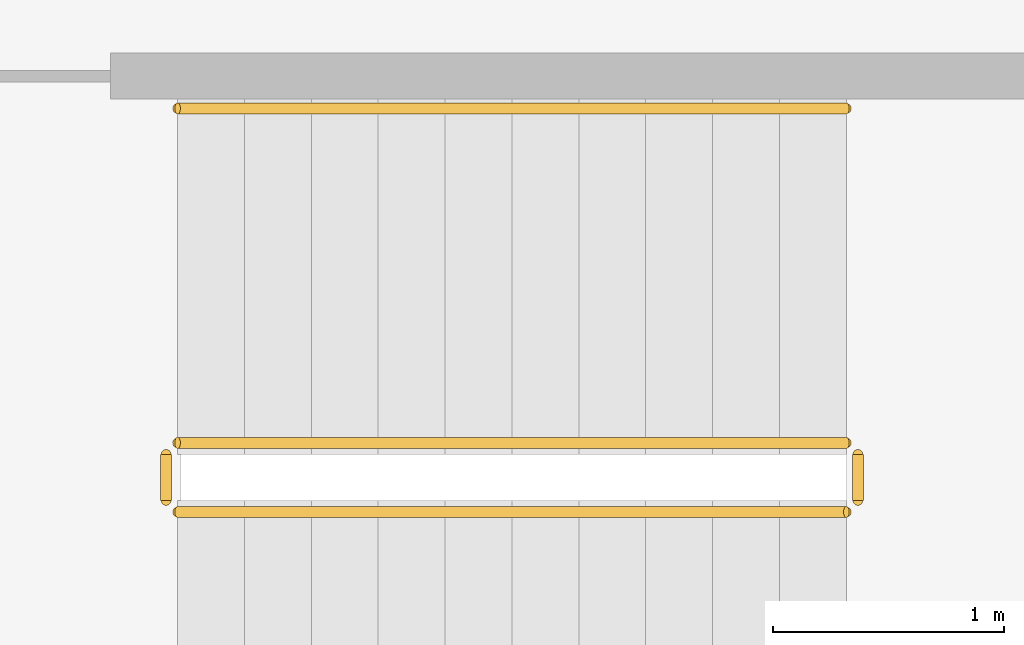
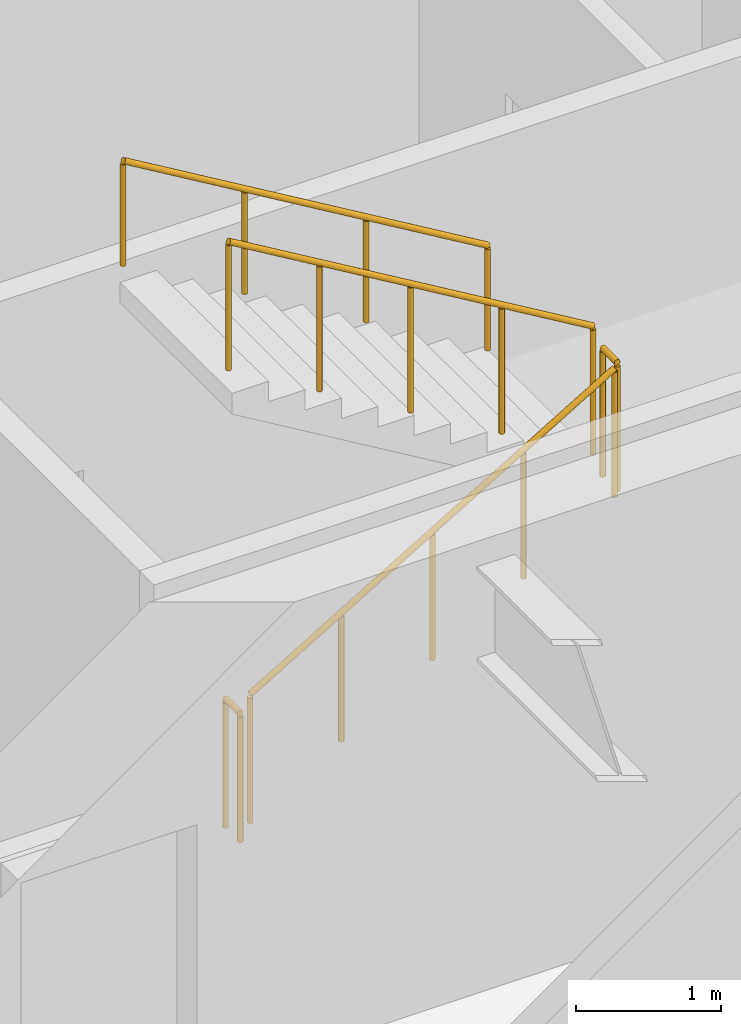
# One storey, part 18 of 19: 5 railings.
"""IFC4 building model written with IfcOpenShell, lengths in metres."""

from ifc_helpers import new_model, si_unit, direction, frame, origin, origin_2d, place, context, subcontext, project, spatial, circle, extrude, material, type_object, element, save


model = new_model("IFC4")

# Units and contexts
model_context = context("Model", 3, precision=1e-05, world=origin(), true_north=direction((0.0, 1.0)))
body_context = subcontext(model_context, "Body", "Model", "MODEL_VIEW")
ifc_project = project(units=[si_unit("LENGTHUNIT", "METRE"), si_unit("AREAUNIT", "SQUARE_METRE"), si_unit("VOLUMEUNIT", "CUBIC_METRE"), si_unit("PLANEANGLEUNIT", "RADIAN"), si_unit("MASSUNIT", "GRAM", prefix="KILO")], contexts=[model_context])

# Site, building, storey
site_placement = place(None, origin())
site = spatial("IfcSite", under=ifc_project, at=site_placement, CompositionType="ELEMENT")
building_placement = place(site_placement, origin())
building = spatial("IfcBuilding", under=site, at=building_placement, Name="Putna Gate Headquarters", CompositionType="ELEMENT")
storey_placement = place(building_placement, frame((0.0, 0.0, 263.199951171875)))
storey = spatial("IfcBuildingStorey", under=building, at=storey_placement, Name="L66", CompositionType="ELEMENT", Elevation=263.199951171875)

# Railings
ifc_material_1 = material(Name="Powder-coated steel stair guardrail", Category="steel")
railing_type_1 = type_object("IfcRailingType", Name="RAIL-STAIR-GUARD-1100", PredefinedType="GUARDRAIL", material=ifc_material_1)
railing_1_placement = place(storey_placement, frame((57.89990234375, 21.10009765625, 0.1728515625)))
element("IfcRailing", 1, at=railing_1_placement, inside=storey, type_object=railing_type_1, Name="L66 ST2 stair guard 1", PredefinedType="GUARDRAIL", context=body_context, shape_type="SweptSolid", body=[
    extrude(circle(Radius=0.02392578125, at=origin_2d()), frame((0.0, 0.0, 1.076171875), z_axis=(0.859160404282, 0.0, 0.51170636083), x_axis=(0.0, 1.0, 0.0)), (0.0, 0.0, 1.0), 3.37548828125),
    extrude(circle(Radius=0.02099609375, at=origin_2d()), origin(), (0.0, 0.0, 1.0), 1.052001953125),
    extrude(circle(Radius=0.02099609375, at=origin_2d()), frame((0.72509765625, 0.0, 0.431884765625)), (0.0, 0.0, 1.0), 1.052001953125),
    extrude(circle(Radius=0.02099609375, at=origin_2d()), frame((1.4501953125, 0.0, 0.86376953125)), (0.0, 0.0, 1.0), 1.052001953125),
    extrude(circle(Radius=0.02099609375, at=origin_2d()), frame((2.175048828125, 0.0, 1.29541015625)), (0.0, 0.0, 1.0), 1.052001953125),
    extrude(circle(Radius=0.02099609375, at=origin_2d()), frame((2.900146484375, 0.0, 1.727294921875)), (0.0, 0.0, 1.0), 1.052001953125),
])
railing_2_placement = place(storey_placement, frame((60.85009765625, 21.14990234375, 1.900146484375)))
element("IfcRailing", 2, at=railing_2_placement, inside=storey, type_object=railing_type_1, Name="L66 ST2 stair guard 2", PredefinedType="GUARDRAIL", context=body_context, shape_type="SweptSolid", body=[
    extrude(circle(Radius=0.02392578125, at=origin_2d()), frame((0.0, 0.0, 1.076171875), z_axis=(0.0, 1.0, 0.0), x_axis=(-1.0, 0.0, 0.0)), (0.0, 0.0, 1.0), 0.2001953125),
    extrude(circle(Radius=0.02099609375, at=origin_2d()), origin(), (0.0, 0.0, 1.0), 1.052001953125),
    extrude(circle(Radius=0.02099609375, at=origin_2d()), frame((0.0, 0.2001953125, 0.0)), (0.0, 0.0, 1.0), 1.052001953125),
])
railing_3_placement = place(storey_placement, frame((60.800048828125, 21.39990234375, 2.07275390625)))
element("IfcRailing", 3, at=railing_3_placement, inside=storey, type_object=railing_type_1, Name="L66 ST2 stair guard 3", PredefinedType="GUARDRAIL", context=body_context, shape_type="SweptSolid", body=[
    extrude(circle(Radius=0.02392578125, at=origin_2d()), frame((0.0, 0.0, 1.076171875), z_axis=(-0.859160404282, 0.0, 0.51170636083), x_axis=(0.0, -1.0, 0.0)), (0.0, 0.0, 1.0), 3.37548828125),
    extrude(circle(Radius=0.02099609375, at=origin_2d()), origin(), (0.0, 0.0, 1.0), 1.052001953125),
    extrude(circle(Radius=0.02099609375, at=origin_2d()), frame((-0.72509765625, 0.0, 0.431884765625)), (0.0, 0.0, 1.0), 1.052001953125),
    extrude(circle(Radius=0.02099609375, at=origin_2d()), frame((-1.4501953125, 0.0, 0.86376953125)), (0.0, 0.0, 1.0), 1.052001953125),
    extrude(circle(Radius=0.02099609375, at=origin_2d()), frame((-2.175048828125, 0.0, 1.29541015625)), (0.0, 0.0, 1.0), 1.052001953125),
    extrude(circle(Radius=0.02099609375, at=origin_2d()), frame((-2.900146484375, 0.0, 1.727294921875)), (0.0, 0.0, 1.0), 1.052001953125),
])
railing_4_placement = place(storey_placement, frame((57.85009765625, 21.14990234375, 0.0)))
element("IfcRailing", 4, at=railing_4_placement, inside=storey, type_object=railing_type_1, Name="L66 ST2 stair guard 4", PredefinedType="GUARDRAIL", context=body_context, shape_type="SweptSolid", body=[
    extrude(circle(Radius=0.02392578125, at=origin_2d()), frame((0.0, 0.0, 1.076171875), z_axis=(0.0, 1.0, 0.0), x_axis=(-1.0, 0.0, 0.0)), (0.0, 0.0, 1.0), 0.2001953125),
    extrude(circle(Radius=0.02099609375, at=origin_2d()), origin(), (0.0, 0.0, 1.0), 1.052001953125),
    extrude(circle(Radius=0.02099609375, at=origin_2d()), frame((0.0, 0.2001953125, 0.0)), (0.0, 0.0, 1.0), 1.052001953125),
])
ifc_material_2 = material(Name="Brushed stainless steel handrail", Category="steel")
railing_type_2 = type_object("IfcRailingType", Name="RAIL-STAIR-HAND-900", PredefinedType="HANDRAIL", material=ifc_material_2)
railing_5_placement = place(storey_placement, frame((60.800048828125, 22.85009765625, 2.07275390625)))
element("IfcRailing", 5, at=railing_5_placement, inside=storey, type_object=railing_type_2, Name="L66 ST2 stair handrail 2", PredefinedType="HANDRAIL", context=body_context, shape_type="SweptSolid", body=[
    extrude(circle(Radius=0.02392578125, at=origin_2d()), frame((0.0, 0.0, 0.8759765625), z_axis=(-0.859160404282, 0.0, 0.51170636083), x_axis=(0.0, -1.0, 0.0)), (0.0, 0.0, 1.0), 3.37548828125),
    extrude(circle(Radius=0.02099609375, at=origin_2d()), origin(), (0.0, 0.0, 1.0), 0.851806640625),
    extrude(circle(Radius=0.02099609375, at=origin_2d()), frame((-0.966796875, 0.0, 0.57568359375)), (0.0, 0.0, 1.0), 0.851806640625),
    extrude(circle(Radius=0.02099609375, at=origin_2d()), frame((-1.933349609375, 0.0, 1.151611328125)), (0.0, 0.0, 1.0), 0.851806640625),
    extrude(circle(Radius=0.02099609375, at=origin_2d()), frame((-2.900146484375, 0.0, 1.727294921875)), (0.0, 0.0, 1.0), 0.851806640625),
])

save(model, "model.ifc")
